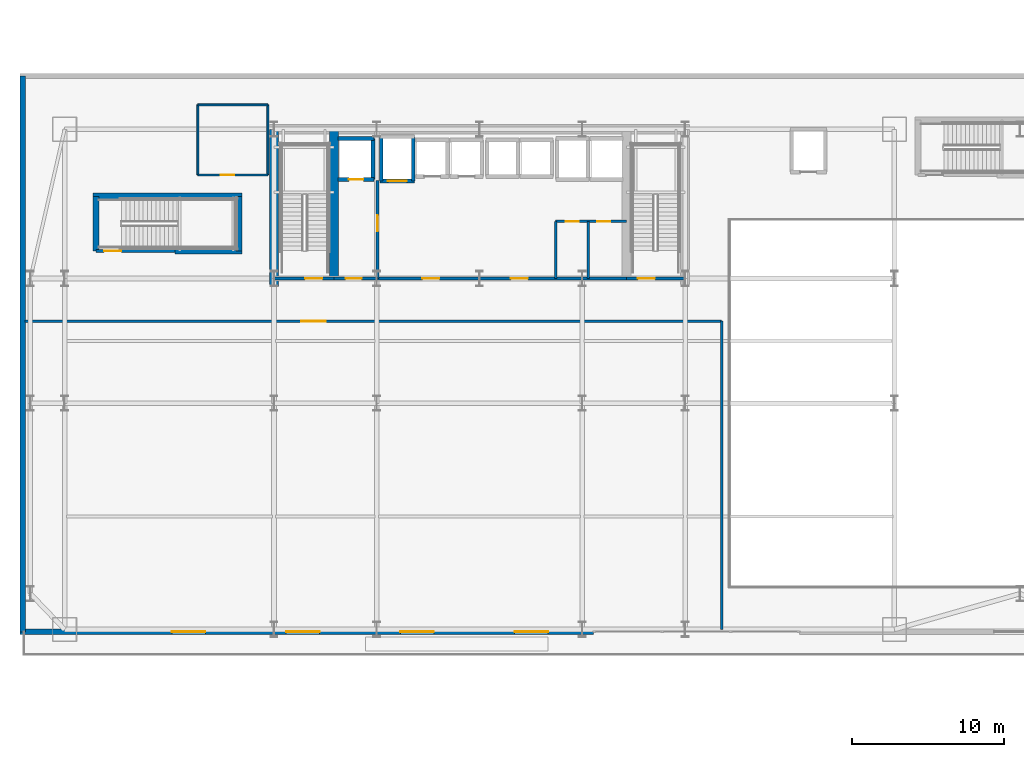
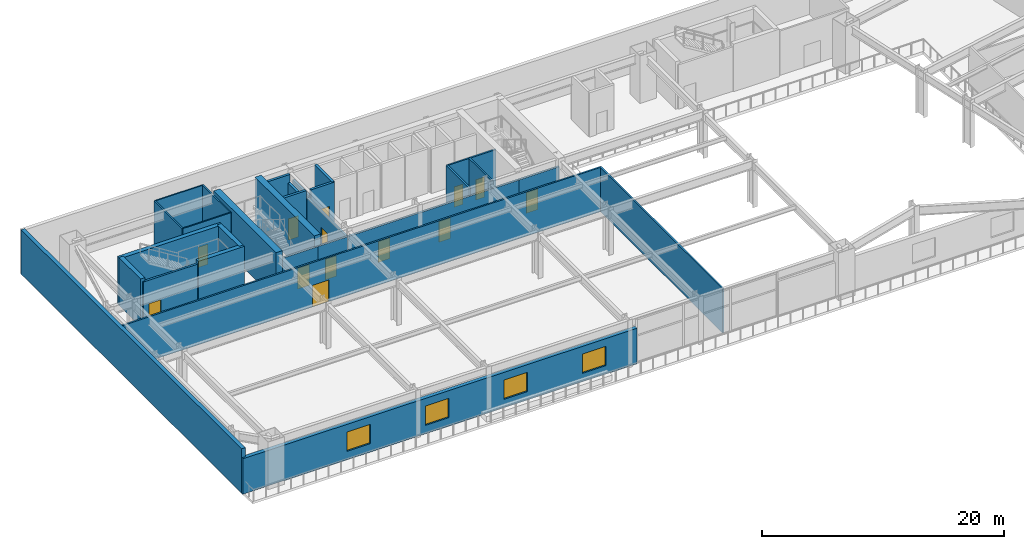
# One storey, part 12 of 28: 29 walls, 13 doors, 4 windows, 17 openings.
"""IFC4 building model written with IfcOpenShell, lengths in metres."""

from ifc_helpers import new_model, si_unit, direction, frame, frame_2d, origin, place, context, subcontext, project, spatial, rectangle, extrude, material, layer, layer_set, type_object, element, fill, save


model = new_model("IFC4")

# Units and contexts
model_context = context("Model", 3, precision=1e-05, world=origin(), true_north=direction((0.0, 1.0)))
body_context = subcontext(model_context, "Body", "Model", "MODEL_VIEW")
ifc_project = project(units=[si_unit("LENGTHUNIT", "METRE"), si_unit("AREAUNIT", "SQUARE_METRE"), si_unit("VOLUMEUNIT", "CUBIC_METRE"), si_unit("PLANEANGLEUNIT", "RADIAN"), si_unit("MASSUNIT", "GRAM", prefix="KILO")], contexts=[model_context])

# Site, building, storey
site_placement = place(None, origin())
site = spatial("IfcSite", under=ifc_project, at=site_placement, CompositionType="ELEMENT")
building_placement = place(site_placement, origin())
building = spatial("IfcBuilding", under=site, at=building_placement, Name="Haevon Station Towers", CompositionType="ELEMENT")
storey_placement = place(building_placement, frame((0.0, 0.0, 10.800048828125)))
storey = spatial("IfcBuildingStorey", under=building, at=storey_placement, Name="L02", CompositionType="ELEMENT", Elevation=10.800048828125)

# Wall, opening, door
ifc_material_1 = material(Name="Gypsum board on steel stud", Category="steel")
ifc_layer_1 = layer(ifc_material_1, 0.199951171875)
ifc_layer_set_1 = layer_set([ifc_layer_1], Name="Gypsum board on steel stud")
wall_type_1 = type_object("IfcWallType", Name="WL-COR200", PredefinedType="PARTITIONING", material=ifc_layer_set_1)
wall_1_placement = place(storey_placement, frame((24.0, 38.199951171875, 0.0), z_axis=(0.0, 0.0, 1.0), x_axis=(1.0, 0.0, 0.0)))
wall_1 = element("IfcWall", 1, at=wall_1_placement, inside=storey, type_object=wall_type_1, Name="WL-ST-ST1-L02", PredefinedType="PARTITIONING", context=body_context, shape_type="SweptSolid", body=[
    extrude(rectangle(XDim=3.949951171875, YDim=0.199951171875, at=frame_2d((1.97509765625, 0.0))), origin(), (0.0, 0.0, 1.0), 3.679931640625),
])
opening_1_placement = place(wall_1_placement, frame((2.050048828125, 0.0, 0.0)))
opening_1 = element("IfcOpeningElement", 2, at=opening_1_placement, cuts=wall_1, Name="Opening DR-ST-ST1-L02", PredefinedType="OPENING", context=body_context, shape_type="SweptSolid", body=[
    extrude(rectangle(XDim=1.1201171875, YDim=2.10009765625, at=frame_2d((0.56005859375, 1.050048828125))), frame((0.0, 0.10986328125, 0.0), z_axis=(0.0, -1.0, 0.0), x_axis=(1.0, 0.0, 0.0)), (0.0, 0.0, 1.0), 0.219970703125),
])
ifc_material_2 = material(Name="Engineered oak timber", Category="wood")
door_type_1 = type_object("IfcDoorType", Name="DR-ST-1120", OperationType="NOTDEFINED", PredefinedType="DOOR", material=ifc_material_2)
door_1_placement = place(opening_1_placement, origin())
door_1 = element("IfcDoor", 3, at=door_1_placement, inside=storey, type_object=door_type_1, Name="L02 Escape Stair ST1 Fire Door", OperationType="SINGLE_SWING_RIGHT", OverallHeight=2.10009765625, OverallWidth=1.1201171875, PredefinedType="DOOR", context=body_context, shape_type="SweptSolid", body=[
    extrude(rectangle(XDim=1.1201171875, YDim=2.10009765625, at=frame_2d((0.56005859375, 1.050048828125))), frame((0.0, 0.02490234375, 0.0), z_axis=(0.0, -1.0, 0.0), x_axis=(1.0, 0.0, 0.0)), (0.0, 0.0, 1.0), 0.050048828125),
])
fill(opening_1, door_1)

wall_2_placement = place(storey_placement, frame((47.14990234375, 38.199951171875, 0.0), z_axis=(0.0, 0.0, 1.0), x_axis=(1.0, 0.0, 0.0)))
wall_2 = element("IfcWall", 4, at=wall_2_placement, inside=storey, type_object=wall_type_1, Name="WL-ST-ST2-L02", PredefinedType="PARTITIONING", context=body_context, shape_type="SweptSolid", body=[
    extrude(rectangle(XDim=3.85009765625, YDim=0.199951171875, at=frame_2d((1.925048828125, 0.0))), origin(), (0.0, 0.0, 1.0), 3.679931640625),
])
opening_2_placement = place(wall_2_placement, frame((0.75, 0.0, 0.0)))
opening_2 = element("IfcOpeningElement", 5, at=opening_2_placement, cuts=wall_2, Name="Opening DR-ST-ST2-L02", PredefinedType="OPENING", context=body_context, shape_type="SweptSolid", body=[
    extrude(rectangle(XDim=1.1201171875, YDim=2.10009765625, at=frame_2d((0.56005859375, 1.050048828125))), frame((0.0, 0.10986328125, 0.0), z_axis=(0.0, -1.0, 0.0), x_axis=(1.0, 0.0, 0.0)), (0.0, 0.0, 1.0), 0.219970703125),
])
door_2_placement = place(opening_2_placement, origin())
door_2 = element("IfcDoor", 6, at=door_2_placement, inside=storey, type_object=door_type_1, Name="L02 Escape Stair ST2 Fire Door", OperationType="SINGLE_SWING_LEFT", OverallHeight=2.10009765625, OverallWidth=1.1201171875, PredefinedType="DOOR", context=body_context, shape_type="SweptSolid", body=[
    extrude(rectangle(XDim=1.1201171875, YDim=2.10009765625, at=frame_2d((0.56005859375, 1.050048828125))), frame((0.0, 0.02490234375, 0.0), z_axis=(0.0, -1.0, 0.0), x_axis=(1.0, 0.0, 0.0)), (0.0, 0.0, 1.0), 0.050048828125),
])
fill(opening_2, door_2)

wall_3_placement = place(storey_placement, frame((30.800048828125, 38.199951171875, 0.0), z_axis=(0.0, 0.0, 1.0), x_axis=(0.0, 1.0, 0.0)))
wall_3 = element("IfcWall", 7, at=wall_3_placement, inside=storey, type_object=wall_type_1, Name="WL-T1FFL-L02-E", PredefinedType="PARTITIONING", context=body_context, shape_type="SweptSolid", body=[
    extrude(rectangle(XDim=6.449951171875, YDim=0.199951171875, at=frame_2d((3.22509765625, 0.0))), origin(), (0.0, 0.0, 1.0), 3.679931640625),
])
opening_3_placement = place(wall_3_placement, frame((3.10009765625, 0.0, 0.0)))
opening_3 = element("IfcOpeningElement", 8, at=opening_3_placement, cuts=wall_3, Name="Opening DR-T1FFL-L02-E", PredefinedType="OPENING", context=body_context, shape_type="SweptSolid", body=[
    extrude(rectangle(XDim=1.050048828125, YDim=2.10009765625, at=frame_2d((0.52490234375, 1.050048828125))), frame((0.0, 0.10986328125, 0.0), z_axis=(0.0, -1.0, 0.0), x_axis=(1.0, 0.0, 0.0)), (0.0, 0.0, 1.0), 0.219970703125),
])
door_type_2 = type_object("IfcDoorType", Name="DR-FD60-1050", OperationType="NOTDEFINED", PredefinedType="DOOR", material=ifc_material_2)
door_3_placement = place(opening_3_placement, origin())
door_3 = element("IfcDoor", 9, at=door_3_placement, inside=storey, type_object=door_type_2, Name="L02 Tower 1 Firefighting Lift Lobby Door E", OperationType="SINGLE_SWING_RIGHT", OverallHeight=2.10009765625, OverallWidth=1.050048828125, PredefinedType="DOOR", context=body_context, shape_type="SweptSolid", body=[
    extrude(rectangle(XDim=1.050048828125, YDim=2.10009765625, at=frame_2d((0.52490234375, 1.050048828125))), frame((0.0, 0.02490234375, 0.0), z_axis=(0.0, -1.0, 0.0), x_axis=(1.0, 0.0, 0.0)), (0.0, 0.0, 1.0), 0.050048828125),
])
fill(opening_3, door_3)

wall_4_placement = place(storey_placement, frame((27.949951171875, 38.199951171875, 0.0), z_axis=(0.0, 0.0, 1.0), x_axis=(1.0, 0.0, 0.0)))
wall_4 = element("IfcWall", 10, at=wall_4_placement, inside=storey, type_object=wall_type_1, Name="WL-T1FFL-L02-S", PredefinedType="PARTITIONING", context=body_context, shape_type="SweptSolid", body=[
    extrude(rectangle(XDim=2.85009765625, YDim=0.199951171875, at=frame_2d((1.425048828125, 0.0))), origin(), (0.0, 0.0, 1.0), 3.679931640625),
])
opening_4_placement = place(wall_4_placement, frame((0.75, 0.0, 0.0)))
opening_4 = element("IfcOpeningElement", 11, at=opening_4_placement, cuts=wall_4, Name="Opening DR-T1FFL-L02-S", PredefinedType="OPENING", context=body_context, shape_type="SweptSolid", body=[
    extrude(rectangle(XDim=1.050048828125, YDim=2.10009765625, at=frame_2d((0.52490234375, 1.050048828125))), frame((0.0, 0.10986328125, 0.0), z_axis=(0.0, -1.0, 0.0), x_axis=(1.0, 0.0, 0.0)), (0.0, 0.0, 1.0), 0.219970703125),
])
door_4_placement = place(opening_4_placement, origin())
door_4 = element("IfcDoor", 12, at=door_4_placement, inside=storey, type_object=door_type_2, Name="L02 Tower 1 Firefighting Lift Lobby Door S", OperationType="SINGLE_SWING_LEFT", OverallHeight=2.10009765625, OverallWidth=1.050048828125, PredefinedType="DOOR", context=body_context, shape_type="SweptSolid", body=[
    extrude(rectangle(XDim=1.050048828125, YDim=2.10009765625, at=frame_2d((0.52490234375, 1.050048828125))), frame((0.0, 0.02490234375, 0.0), z_axis=(0.0, -1.0, 0.0), x_axis=(1.0, 0.0, 0.0)), (0.0, 0.0, 1.0), 0.050048828125),
])
fill(opening_4, door_4)

# Wall, openings, doors
wall_5_placement = place(storey_placement, frame((30.800048828125, 38.199951171875, 0.0), z_axis=(0.0, 0.0, 1.0), x_axis=(1.0, 0.0, 0.0)))
wall_5 = element("IfcWall", 13, at=wall_5_placement, inside=storey, type_object=wall_type_1, Name="WL-T1CLB-L02", PredefinedType="PARTITIONING", context=body_context, shape_type="SweptSolid", body=[
    extrude(rectangle(XDim=16.349853515625, YDim=0.199951171875, at=frame_2d((8.1748046875, 0.0))), origin(), (0.0, 0.0, 1.0), 3.679931640625),
])
opening_5_placement = place(wall_5_placement, frame((2.949951171875, 0.0, 0.0)))
opening_5 = element("IfcOpeningElement", 14, at=opening_5_placement, cuts=wall_5, Name="Opening DR-T1CLB-L02-1", PredefinedType="OPENING", context=body_context, shape_type="SweptSolid", body=[
    extrude(rectangle(XDim=1.1201171875, YDim=2.10009765625, at=frame_2d((0.56005859375, 1.050048828125))), frame((0.0, 0.10986328125, 0.0), z_axis=(0.0, -1.0, 0.0), x_axis=(1.0, 0.0, 0.0)), (0.0, 0.0, 1.0), 0.219970703125),
])
opening_6_placement = place(wall_5_placement, frame((8.75, 0.0, 0.0)))
opening_6 = element("IfcOpeningElement", 15, at=opening_6_placement, cuts=wall_5, Name="Opening DR-T1CLB-L02-2", PredefinedType="OPENING", context=body_context, shape_type="SweptSolid", body=[
    extrude(rectangle(XDim=1.1201171875, YDim=2.10009765625, at=frame_2d((0.56005859375, 1.050048828125))), frame((0.0, 0.10986328125, 0.0), z_axis=(0.0, -1.0, 0.0), x_axis=(1.0, 0.0, 0.0)), (0.0, 0.0, 1.0), 0.219970703125),
])
door_5_placement = place(opening_5_placement, origin())
door_5 = element("IfcDoor", 16, at=door_5_placement, inside=storey, type_object=door_type_1, Name="L02 Tower 1 Core Lift Lobby Door 1", OperationType="SINGLE_SWING_RIGHT", OverallHeight=2.10009765625, OverallWidth=1.1201171875, PredefinedType="DOOR", context=body_context, shape_type="SweptSolid", body=[
    extrude(rectangle(XDim=1.1201171875, YDim=2.10009765625, at=frame_2d((0.56005859375, 1.050048828125))), frame((0.0, 0.02490234375, 0.0), z_axis=(0.0, -1.0, 0.0), x_axis=(1.0, 0.0, 0.0)), (0.0, 0.0, 1.0), 0.050048828125),
])
fill(opening_5, door_5)
door_6_placement = place(opening_6_placement, origin())
door_6 = element("IfcDoor", 17, at=door_6_placement, inside=storey, type_object=door_type_1, Name="L02 Tower 1 Core Lift Lobby Door 2", OperationType="SINGLE_SWING_LEFT", OverallHeight=2.10009765625, OverallWidth=1.1201171875, PredefinedType="DOOR", context=body_context, shape_type="SweptSolid", body=[
    extrude(rectangle(XDim=1.1201171875, YDim=2.10009765625, at=frame_2d((0.56005859375, 1.050048828125))), frame((0.0, 0.02490234375, 0.0), z_axis=(0.0, -1.0, 0.0), x_axis=(1.0, 0.0, 0.0)), (0.0, 0.0, 1.0), 0.050048828125),
])
fill(opening_6, door_6)

# Wall, opening, door
wall_6_placement = place(storey_placement, frame((12.300048828125, 40.0, 0.0), z_axis=(0.0, 0.0, 1.0), x_axis=(1.0, 0.0, 0.0)))
wall_6 = element("IfcWall", 18, at=wall_6_placement, inside=storey, type_object=wall_type_1, Name="WL-ST-ST5-L02-S", PredefinedType="PARTITIONING", context=body_context, shape_type="SweptSolid", body=[
    extrude(rectangle(XDim=5.199951171875, YDim=0.199951171875, at=frame_2d((2.60009765625, 0.0))), origin(), (0.0, 0.0, 1.0), 4.47998046875),
])
opening_7_placement = place(wall_6_placement, frame((0.550048828125, 0.0, 0.0)))
opening_7 = element("IfcOpeningElement", 19, at=opening_7_placement, cuts=wall_6, Name="Opening DR-ST-ST5-L02", PredefinedType="OPENING", context=body_context, shape_type="SweptSolid", body=[
    extrude(rectangle(XDim=1.1201171875, YDim=2.10009765625, at=frame_2d((0.56005859375, 1.050048828125))), frame((0.0, 0.10986328125, 0.0), z_axis=(0.0, -1.0, 0.0), x_axis=(1.0, 0.0, 0.0)), (0.0, 0.0, 1.0), 0.219970703125),
])
door_7_placement = place(opening_7_placement, origin())
door_7 = element("IfcDoor", 20, at=door_7_placement, inside=storey, type_object=door_type_1, Name="L02 Station Escape Stair ST5 Fire Door", OperationType="SINGLE_SWING_LEFT", OverallHeight=2.10009765625, OverallWidth=1.1201171875, PredefinedType="DOOR", context=body_context, shape_type="SweptSolid", body=[
    extrude(rectangle(XDim=1.1201171875, YDim=2.10009765625, at=frame_2d((0.56005859375, 1.050048828125))), frame((0.0, 0.02490234375, 0.0), z_axis=(0.0, -1.0, 0.0), x_axis=(1.0, 0.0, 0.0)), (0.0, 0.0, 1.0), 0.050048828125),
])
fill(opening_7, door_7)

# Walls
ifc_material_3 = material(Name="Concrete C60/75", Category="concrete")
ifc_layer_2 = layer(ifc_material_3, 0.39990234375)
ifc_layer_set_2 = layer_set([ifc_layer_2], Name="Concrete C60/75")
wall_type_2 = type_object("IfcWallType", Name="WL-CR400", PredefinedType="SHEAR", material=ifc_layer_set_2)
wall_7_placement = place(storey_placement, frame((12.10009765625, 43.60009765625, 0.0), z_axis=(0.0, 0.0, 1.0), x_axis=(1.0, 0.0, 0.0)))
element("IfcWall", 21, at=wall_7_placement, inside=storey, type_object=wall_type_2, Name="WL-ST5CR-L02-N", PredefinedType="SHEAR", context=body_context, shape_type="SweptSolid", body=[
    extrude(rectangle(XDim=9.7998046875, YDim=0.39990234375, at=frame_2d((4.89990234375, 0.0))), origin(), (0.0, 0.0, 1.0), 4.800048828125),
])
for number, where, z_axis, x_axis, name in (
    (22, (12.300048828125, 40.0, 0.0), (0.0, 0.0, 1.0), (0.0, 1.0, 0.0), "WL-ST5CR-L02-W"),
    (23, (21.699951171875, 40.0, 0.0), (0.0, 0.0, 1.0), (0.0, 1.0, 0.0), "WL-ST5CR-L02-E"),
):
    element("IfcWall", number, at=place(storey_placement, frame(where, z_axis=z_axis, x_axis=x_axis)), inside=storey, type_object=wall_type_2, Name=name, PredefinedType="SHEAR", context=body_context, shape_type="SweptSolid", body=[
        extrude(rectangle(XDim=3.60009765625, YDim=0.39990234375, at=frame_2d((1.800048828125, 0.0))), origin(), (0.0, 0.0, 1.0), 4.800048828125),
    ])
wall_8_placement = place(storey_placement, frame((17.5, 40.0, 0.0), z_axis=(0.0, 0.0, 1.0), x_axis=(1.0, 0.0, 0.0)))
element("IfcWall", 24, at=wall_8_placement, inside=storey, type_object=wall_type_2, Name="WL-ST5CR-L02-S2", PredefinedType="SHEAR", context=body_context, shape_type="SweptSolid", body=[
    extrude(rectangle(XDim=4.39990234375, YDim=0.39990234375, at=frame_2d((2.199951171875, 0.0))), origin(), (0.0, 0.0, 1.0), 4.800048828125),
])
ifc_layer_3 = layer(ifc_material_3, 0.60009765625)
ifc_layer_set_3 = layer_set([ifc_layer_3], Name="Concrete C60/75")
wall_type_3 = type_object("IfcWallType", Name="WL-CR600", PredefinedType="SHEAR", material=ifc_layer_set_3)
wall_9_placement = place(storey_placement, frame((24.0, 37.679931640625, 0.0), z_axis=(0.0, 0.0, 1.0), x_axis=(0.0, 1.0, 0.0)))
element("IfcWall", 25, at=wall_9_placement, inside=storey, type_object=wall_type_3, Name="WL-T1CR-L02-W", PredefinedType="SHEAR", context=body_context, shape_type="SweptSolid", body=[
    extrude(rectangle(XDim=10.320068359375, YDim=0.60009765625, at=frame_2d((5.16015625, 0.0))), origin(), (0.0, 0.0, 1.0), 4.800048828125),
])
wall_10_placement = place(storey_placement, frame((27.949951171875, 38.199951171875, 0.0), z_axis=(0.0, 0.0, 1.0), x_axis=(0.0, 1.0, 0.0)))
element("IfcWall", 26, at=wall_10_placement, inside=storey, type_object=wall_type_3, Name="WL-T1CR-L02-M1", PredefinedType="SHEAR", context=body_context, shape_type="SweptSolid", body=[
    extrude(rectangle(XDim=9.800048828125, YDim=0.60009765625, at=frame_2d((4.89990234375, 0.0))), origin(), (0.0, 0.0, 1.0), 4.800048828125),
])

# Wall, openings, windows
ifc_material_4 = material(Name="Precast concrete C45/55", Category="concrete")
ifc_layer_4 = layer(ifc_material_4, 0.360107421875)
ifc_layer_set_4 = layer_set([ifc_layer_4], Name="Precast concrete C45/55")
wall_type_4 = type_object("IfcWallType", Name="WL-EXT-POD360", PredefinedType="SOLIDWALL", material=ifc_layer_set_4)
wall_11_placement = place(storey_placement, frame((45.0, 15.0, 0.0), z_axis=(0.0, 0.0, 1.0), x_axis=(-1.0, 0.0, 0.0)))
wall_11 = element("IfcWall", 27, at=wall_11_placement, inside=storey, type_object=wall_type_4, Name="WL-POD-L02-S3", PredefinedType="SOLIDWALL", context=body_context, shape_type="SweptSolid", body=[
    extrude(rectangle(XDim=37.679931640625, YDim=0.360107421875, at=frame_2d((18.83984375, 0.0))), origin(), (0.0, 0.0, 1.0), 3.579833984375),
])
opening_8_placement = place(wall_11_placement, frame((3.0, 0.0, 0.85009765625)))
opening_8 = element("IfcOpeningElement", 28, at=opening_8_placement, cuts=wall_11, Name="Opening WN-P220", PredefinedType="OPENING", context=body_context, shape_type="SweptSolid", body=[
    extrude(rectangle(XDim=2.199951171875, YDim=1.949951171875, at=frame_2d((1.10009765625, 0.97509765625))), frame((0.0, 0.18994140625, 0.0), z_axis=(0.0, -1.0, 0.0), x_axis=(1.0, 0.0, 0.0)), (0.0, 0.0, 1.0), 0.380126953125),
])
opening_9_placement = place(wall_11_placement, frame((10.5, 0.0, 0.85009765625)))
opening_9 = element("IfcOpeningElement", 29, at=opening_9_placement, cuts=wall_11, Name="Opening WN-P220", PredefinedType="OPENING", context=body_context, shape_type="SweptSolid", body=[
    extrude(rectangle(XDim=2.199951171875, YDim=1.949951171875, at=frame_2d((1.10009765625, 0.97509765625))), frame((0.0, 0.18994140625, 0.0), z_axis=(0.0, -1.0, 0.0), x_axis=(1.0, 0.0, 0.0)), (0.0, 0.0, 1.0), 0.380126953125),
])
opening_10_placement = place(wall_11_placement, frame((18.0, 0.0, 0.85009765625)))
opening_10 = element("IfcOpeningElement", 30, at=opening_10_placement, cuts=wall_11, Name="Opening WN-P220", PredefinedType="OPENING", context=body_context, shape_type="SweptSolid", body=[
    extrude(rectangle(XDim=2.199951171875, YDim=1.949951171875, at=frame_2d((1.10009765625, 0.97509765625))), frame((0.0, 0.18994140625, 0.0), z_axis=(0.0, -1.0, 0.0), x_axis=(1.0, 0.0, 0.0)), (0.0, 0.0, 1.0), 0.380126953125),
])
opening_11_placement = place(wall_11_placement, frame((25.5, 0.0, 0.85009765625)))
opening_11 = element("IfcOpeningElement", 31, at=opening_11_placement, cuts=wall_11, Name="Opening WN-P220", PredefinedType="OPENING", context=body_context, shape_type="SweptSolid", body=[
    extrude(rectangle(XDim=2.199951171875, YDim=1.949951171875, at=frame_2d((1.10009765625, 0.97509765625))), frame((0.0, 0.18994140625, 0.0), z_axis=(0.0, -1.0, 0.0), x_axis=(1.0, 0.0, 0.0)), (0.0, 0.0, 1.0), 0.380126953125),
])
ifc_material_5 = material(Name="Low-E triple glazing in thermally broken aluminium", Category="aluminium")
window_type = type_object("IfcWindowType", Name="WN-P220", PartitioningType="SINGLE_PANEL", PredefinedType="WINDOW", material=ifc_material_5)
window_1_placement = place(opening_8_placement, origin())
window_1 = element("IfcWindow", 32, at=window_1_placement, inside=storey, type_object=window_type, Name="WN-POD-L02-S3-01", OverallHeight=1.949951171875, OverallWidth=2.199951171875, PartitioningType="SINGLE_PANEL", PredefinedType="WINDOW", context=body_context, shape_type="SweptSolid", body=[
    extrude(rectangle(XDim=2.199951171875, YDim=1.949951171875, at=frame_2d((1.10009765625, 0.97509765625))), frame((0.0, 0.030029296875, 0.0), z_axis=(0.0, -1.0, 0.0), x_axis=(1.0, 0.0, 0.0)), (0.0, 0.0, 1.0), 0.06005859375),
])
fill(opening_8, window_1)
window_2_placement = place(opening_9_placement, origin())
window_2 = element("IfcWindow", 33, at=window_2_placement, inside=storey, type_object=window_type, Name="WN-POD-L02-S3-02", OverallHeight=1.949951171875, OverallWidth=2.199951171875, PartitioningType="SINGLE_PANEL", PredefinedType="WINDOW", context=body_context, shape_type="SweptSolid", body=[
    extrude(rectangle(XDim=2.199951171875, YDim=1.949951171875, at=frame_2d((1.10009765625, 0.97509765625))), frame((0.0, 0.030029296875, 0.0), z_axis=(0.0, -1.0, 0.0), x_axis=(1.0, 0.0, 0.0)), (0.0, 0.0, 1.0), 0.06005859375),
])
fill(opening_9, window_2)
window_3_placement = place(opening_10_placement, origin())
window_3 = element("IfcWindow", 34, at=window_3_placement, inside=storey, type_object=window_type, Name="WN-POD-L02-S3-03", OverallHeight=1.949951171875, OverallWidth=2.199951171875, PartitioningType="SINGLE_PANEL", PredefinedType="WINDOW", context=body_context, shape_type="SweptSolid", body=[
    extrude(rectangle(XDim=2.199951171875, YDim=1.949951171875, at=frame_2d((1.10009765625, 0.97509765625))), frame((0.0, 0.030029296875, 0.0), z_axis=(0.0, -1.0, 0.0), x_axis=(1.0, 0.0, 0.0)), (0.0, 0.0, 1.0), 0.06005859375),
])
fill(opening_10, window_3)
window_4_placement = place(opening_11_placement, origin())
window_4 = element("IfcWindow", 35, at=window_4_placement, inside=storey, type_object=window_type, Name="WN-POD-L02-S3-04", OverallHeight=1.949951171875, OverallWidth=2.199951171875, PartitioningType="SINGLE_PANEL", PredefinedType="WINDOW", context=body_context, shape_type="SweptSolid", body=[
    extrude(rectangle(XDim=2.199951171875, YDim=1.949951171875, at=frame_2d((1.10009765625, 0.97509765625))), frame((0.0, 0.030029296875, 0.0), z_axis=(0.0, -1.0, 0.0), x_axis=(1.0, 0.0, 0.0)), (0.0, 0.0, 1.0), 0.06005859375),
])
fill(opening_11, window_4)

# Wall
wall_12_placement = place(storey_placement, frame((7.5, 15.0, 0.0), z_axis=(0.0, 0.0, 1.0), x_axis=(0.0, 1.0, 0.0)))
element("IfcWall", 36, at=wall_12_placement, inside=storey, type_object=wall_type_4, Name="WL-POD-L02-W", PredefinedType="SOLIDWALL", context=body_context, shape_type="SweptSolid", body=[
    extrude(rectangle(XDim=36.5, YDim=0.360107421875, at=frame_2d((18.25, 0.0))), origin(), (0.0, 0.0, 1.0), 4.47998046875),
])

# Wall, opening, door
ifc_layer_5 = layer(ifc_material_1, 0.125)
ifc_layer_set_5 = layer_set([ifc_layer_5], Name="Gypsum board on steel stud")
wall_type_5 = type_object("IfcWallType", Name="WL-PRT125", PredefinedType="PARTITIONING", material=ifc_layer_set_5)
wall_13_placement = place(storey_placement, frame((19.0, 45.0, 0.0), z_axis=(0.0, 0.0, 1.0), x_axis=(1.0, 0.0, 0.0)))
wall_13 = element("IfcWall", 37, at=wall_13_placement, inside=storey, type_object=wall_type_5, Name="WL-L02-WCS", PredefinedType="PARTITIONING", context=body_context, shape_type="SweptSolid", body=[
    extrude(rectangle(XDim=4.60009765625, YDim=0.125, at=frame_2d((2.300048828125, 0.0))), origin(), (0.0, 0.0, 1.0), 4.47998046875),
])
opening_12_placement = place(wall_13_placement, frame((1.5, 0.0, 0.0)))
opening_12 = element("IfcOpeningElement", 38, at=opening_12_placement, cuts=wall_13, Name="Opening DR-WL-L02-WCS-1", PredefinedType="OPENING", context=body_context, shape_type="SweptSolid", body=[
    extrude(rectangle(XDim=0.89990234375, YDim=2.050048828125, at=frame_2d((0.449951171875, 1.02490234375))), frame((0.0, 0.072509765625, 0.0), z_axis=(0.0, -1.0, 0.0), x_axis=(1.0, 0.0, 0.0)), (0.0, 0.0, 1.0), 0.14501953125),
])
door_type_3 = type_object("IfcDoorType", Name="DR-INT-900", OperationType="NOTDEFINED", PredefinedType="DOOR", material=ifc_material_2)
door_8_placement = place(opening_12_placement, origin())
door_8 = element("IfcDoor", 39, at=door_8_placement, inside=storey, type_object=door_type_3, Name="L02 Interior Door WL-L02-WCS-1", OperationType="SINGLE_SWING_LEFT", OverallHeight=2.050048828125, OverallWidth=0.89990234375, PredefinedType="DOOR", context=body_context, shape_type="SweptSolid", body=[
    extrude(rectangle(XDim=0.89990234375, YDim=2.050048828125, at=frame_2d((0.449951171875, 1.02490234375))), frame((0.0, 0.02490234375, 0.0), z_axis=(0.0, -1.0, 0.0), x_axis=(1.0, 0.0, 0.0)), (0.0, 0.0, 1.0), 0.050048828125),
])
fill(opening_12, door_8)

# Walls
for number, where, z_axis, x_axis, name in (
    (40, (19.0, 49.60009765625, 0.0), (0.0, 0.0, 1.0), (1.0, 0.0, 0.0), "WL-L02-WCN"),
    (41, (19.0, 45.0, 0.0), (0.0, 0.0, 1.0), (0.0, 1.0, 0.0), "WL-L02-WCW"),
    (42, (23.60009765625, 45.0, 0.0), (0.0, 0.0, 1.0), (0.0, 1.0, 0.0), "WL-L02-WCE"),
):
    element("IfcWall", number, at=place(storey_placement, frame(where, z_axis=z_axis, x_axis=x_axis)), inside=storey, type_object=wall_type_5, Name=name, PredefinedType="PARTITIONING", context=body_context, shape_type="SweptSolid", body=[
        extrude(rectangle(XDim=4.60009765625, YDim=0.125, at=frame_2d((2.300048828125, 0.0))), origin(), (0.0, 0.0, 1.0), 4.47998046875),
    ])
ifc_layer_6 = layer(ifc_material_1, 0.159912109375)
ifc_layer_set_6 = layer_set([ifc_layer_6], Name="Gypsum board on steel stud")
wall_type_6 = type_object("IfcWallType", Name="WL-PRT160", PredefinedType="PARTITIONING", material=ifc_layer_set_6)
wall_14_placement = place(storey_placement, frame((53.39990234375, 15.14990234375, 0.0), z_axis=(0.0, 0.0, 1.0), x_axis=(0.0, 1.0, 0.0)))
element("IfcWall", 43, at=wall_14_placement, inside=storey, type_object=wall_type_6, Name="WL-L02-WEST", PredefinedType="PARTITIONING", context=body_context, shape_type="SweptSolid", body=[
    extrude(rectangle(XDim=20.25, YDim=0.159912109375, at=frame_2d((10.125, 0.0))), origin(), (0.0, 0.0, 1.0), 4.47998046875),
])

# Wall, opening, door
wall_15_placement = place(storey_placement, frame((7.64990234375, 35.39990234375, 0.0), z_axis=(0.0, 0.0, 1.0), x_axis=(1.0, 0.0, 0.0)))
wall_15 = element("IfcWall", 44, at=wall_15_placement, inside=storey, type_object=wall_type_6, Name="WL-L02-WESTN", PredefinedType="PARTITIONING", context=body_context, shape_type="SweptSolid", body=[
    extrude(rectangle(XDim=45.75, YDim=0.159912109375, at=frame_2d((22.875, 0.0))), origin(), (0.0, 0.0, 1.0), 4.47998046875),
])
opening_13_placement = place(wall_15_placement, frame((18.14990234375, 0.0, 0.0)))
opening_13 = element("IfcOpeningElement", 45, at=opening_13_placement, cuts=wall_15, Name="Opening DR-WL-L02-WESTN-1", PredefinedType="OPENING", context=body_context, shape_type="SweptSolid", body=[
    extrude(rectangle(XDim=1.60009765625, YDim=2.199951171875, at=frame_2d((0.800048828125, 1.10009765625))), frame((0.0, 0.08984375, 0.0), z_axis=(0.0, -1.0, 0.0), x_axis=(1.0, 0.0, 0.0)), (0.0, 0.0, 1.0), 0.179931640625),
])
door_type_4 = type_object("IfcDoorType", Name="DR-POD-1600", OperationType="NOTDEFINED", PredefinedType="DOOR", material=ifc_material_2)
door_9_placement = place(opening_13_placement, origin())
door_9 = element("IfcDoor", 46, at=door_9_placement, inside=storey, type_object=door_type_4, Name="L02 Interior Door WL-L02-WESTN-1", OperationType="DOUBLE_DOOR_SINGLE_SWING", OverallHeight=2.199951171875, OverallWidth=1.60009765625, PredefinedType="DOOR", context=body_context, shape_type="SweptSolid", body=[
    extrude(rectangle(XDim=1.60009765625, YDim=2.199951171875, at=frame_2d((0.800048828125, 1.10009765625))), frame((0.0, 0.02490234375, 0.0), z_axis=(0.0, -1.0, 0.0), x_axis=(1.0, 0.0, 0.0)), (0.0, 0.0, 1.0), 0.050048828125),
])
fill(opening_13, door_9)

# Walls
for number, where, z_axis, x_axis, name in (
    (47, (42.5, 38.199951171875, 0.0), (0.0, 0.0, 1.0), (0.0, 1.0, 0.0), "WL-T1CW-L02-01"),
    (48, (44.6298828125, 38.199951171875, 0.0), (0.0, 0.0, 1.0), (0.0, 1.0, 0.0), "WL-T1CW-L02-02"),
):
    element("IfcWall", number, at=place(storey_placement, frame(where, z_axis=z_axis, x_axis=x_axis)), inside=storey, type_object=wall_type_6, Name=name, PredefinedType="PARTITIONING", context=body_context, shape_type="SweptSolid", body=[
        extrude(rectangle(XDim=3.75, YDim=0.159912109375, at=frame_2d((1.875, 0.0))), origin(), (0.0, 0.0, 1.0), 4.47998046875),
    ])

# Wall, openings, doors
wall_16_placement = place(storey_placement, frame((42.5, 41.949951171875, 0.0), z_axis=(0.0, 0.0, 1.0), x_axis=(1.0, 0.0, 0.0)))
wall_16 = element("IfcWall", 49, at=wall_16_placement, inside=storey, type_object=wall_type_6, Name="WL-T1CW-L02-03", PredefinedType="PARTITIONING", context=body_context, shape_type="SweptSolid", body=[
    extrude(rectangle(XDim=4.64990234375, YDim=0.159912109375, at=frame_2d((2.324951171875, 0.0))), origin(), (0.0, 0.0, 1.0), 4.47998046875),
])
opening_14_placement = place(wall_16_placement, frame((0.659912109375, 0.0, 0.0)))
opening_14 = element("IfcOpeningElement", 50, at=opening_14_placement, cuts=wall_16, Name="Opening DR-WL-T1CW-L02-03-1", PredefinedType="OPENING", context=body_context, shape_type="SweptSolid", body=[
    extrude(rectangle(XDim=0.85009765625, YDim=2.050048828125, at=frame_2d((0.425048828125, 1.02490234375))), frame((0.0, 0.08984375, 0.0), z_axis=(0.0, -1.0, 0.0), x_axis=(1.0, 0.0, 0.0)), (0.0, 0.0, 1.0), 0.179931640625),
])
opening_15_placement = place(wall_16_placement, frame((2.72998046875, 0.0, 0.0)))
opening_15 = element("IfcOpeningElement", 51, at=opening_15_placement, cuts=wall_16, Name="Opening DR-WL-T1CW-L02-03-2", PredefinedType="OPENING", context=body_context, shape_type="SweptSolid", body=[
    extrude(rectangle(XDim=0.85009765625, YDim=2.050048828125, at=frame_2d((0.425048828125, 1.02490234375))), frame((0.0, 0.08984375, 0.0), z_axis=(0.0, -1.0, 0.0), x_axis=(1.0, 0.0, 0.0)), (0.0, 0.0, 1.0), 0.179931640625),
])
door_type_5 = type_object("IfcDoorType", Name="DR-FD30-850", OperationType="NOTDEFINED", PredefinedType="DOOR", material=ifc_material_2)
door_10_placement = place(opening_14_placement, origin())
door_10 = element("IfcDoor", 52, at=door_10_placement, inside=storey, type_object=door_type_5, Name="L02 Tower 1 Core Room Door 3-1", OperationType="SINGLE_SWING_RIGHT", OverallHeight=2.050048828125, OverallWidth=0.85009765625, PredefinedType="DOOR", context=body_context, shape_type="SweptSolid", body=[
    extrude(rectangle(XDim=0.85009765625, YDim=2.050048828125, at=frame_2d((0.425048828125, 1.02490234375))), frame((0.0, 0.02490234375, 0.0), z_axis=(0.0, -1.0, 0.0), x_axis=(1.0, 0.0, 0.0)), (0.0, 0.0, 1.0), 0.050048828125),
])
fill(opening_14, door_10)
door_11_placement = place(opening_15_placement, origin())
door_11 = element("IfcDoor", 53, at=door_11_placement, inside=storey, type_object=door_type_5, Name="L02 Tower 1 Core Room Door 3-2", OperationType="SINGLE_SWING_LEFT", OverallHeight=2.050048828125, OverallWidth=0.85009765625, PredefinedType="DOOR", context=body_context, shape_type="SweptSolid", body=[
    extrude(rectangle(XDim=0.85009765625, YDim=2.050048828125, at=frame_2d((0.425048828125, 1.02490234375))), frame((0.0, 0.02490234375, 0.0), z_axis=(0.0, -1.0, 0.0), x_axis=(1.0, 0.0, 0.0)), (0.0, 0.0, 1.0), 0.050048828125),
])
fill(opening_15, door_11)

# Wall, opening, door
ifc_material_6 = material(Name="Concrete C40/50", Category="concrete")
ifc_layer_7 = layer(ifc_material_6, 0.239990234375)
ifc_layer_set_7 = layer_set([ifc_layer_7], Name="Concrete C40/50")
wall_type_7 = type_object("IfcWallType", Name="WL-SHF240", PredefinedType="PARTITIONING", material=ifc_layer_set_7)
wall_17_placement = place(storey_placement, frame((28.219970703125, 44.699951171875, 0.0), z_axis=(0.0, 0.0, 1.0), x_axis=(1.0, 0.0, 0.0)))
wall_17 = element("IfcWall", 54, at=wall_17_placement, inside=storey, type_object=wall_type_7, Name="WL-SHF-FL1-L02", PredefinedType="PARTITIONING", context=body_context, shape_type="SweptSolid", body=[
    extrude(rectangle(XDim=2.360107421875, YDim=0.239990234375, at=frame_2d((1.18017578125, 0.0))), origin(), (0.0, 0.0, 1.0), 4.47998046875),
])
opening_16_placement = place(wall_17_placement, frame((0.705078125, 0.0, 0.0)))
opening_16 = element("IfcOpeningElement", 55, at=opening_16_placement, cuts=wall_17, Name="Opening LD-FL1-L02", PredefinedType="OPENING", context=body_context, shape_type="SweptSolid", body=[
    extrude(rectangle(XDim=0.949951171875, YDim=2.14990234375, at=frame_2d((0.47509765625, 1.074951171875))), frame((0.0, 0.1298828125, 0.0), z_axis=(0.0, -1.0, 0.0), x_axis=(1.0, 0.0, 0.0)), (0.0, 0.0, 1.0), 0.260009765625),
])
ifc_material_7 = material(Name="Stainless steel and rated core", Category="steel")
door_type_6 = type_object("IfcDoorType", Name="LD-FL950", OperationType="SLIDING_TO_LEFT", PredefinedType="DOOR", material=ifc_material_7)
door_12_placement = place(opening_16_placement, origin())
door_12 = element("IfcDoor", 56, at=door_12_placement, inside=storey, type_object=door_type_6, Name="L02 Lift FL1 Sliding Landing Door", OperationType="SLIDING_TO_LEFT", OverallHeight=2.14990234375, OverallWidth=0.949951171875, PredefinedType="DOOR", context=body_context, shape_type="SweptSolid", body=[
    extrude(rectangle(XDim=0.949951171875, YDim=2.14990234375, at=frame_2d((0.47509765625, 1.074951171875))), frame((0.0, 0.02490234375, 0.0), z_axis=(0.0, -1.0, 0.0), x_axis=(1.0, 0.0, 0.0)), (0.0, 0.0, 1.0), 0.050048828125),
])
fill(opening_16, door_12)

# Walls
wall_18_placement = place(storey_placement, frame((28.219970703125, 47.39990234375, 0.0), z_axis=(0.0, 0.0, 1.0), x_axis=(1.0, 0.0, 0.0)))
element("IfcWall", 57, at=wall_18_placement, inside=storey, type_object=wall_type_7, Name="WL-SHF-FL1-L02-N", PredefinedType="PARTITIONING", context=body_context, shape_type="SweptSolid", body=[
    extrude(rectangle(XDim=2.360107421875, YDim=0.239990234375, at=frame_2d((1.18017578125, 0.0))), origin(), (0.0, 0.0, 1.0), 4.47998046875),
])
wall_19_placement = place(storey_placement, frame((30.5, 44.699951171875, 0.0), z_axis=(0.0, 0.0, 1.0), x_axis=(0.0, 1.0, 0.0)))
element("IfcWall", 58, at=wall_19_placement, inside=storey, type_object=wall_type_7, Name="WL-SHF-FL1-L02-E", PredefinedType="PARTITIONING", context=body_context, shape_type="SweptSolid", body=[
    extrude(rectangle(XDim=2.699951171875, YDim=0.239990234375, at=frame_2d((1.35009765625, 0.0))), origin(), (0.0, 0.0, 1.0), 3.679931640625),
])

# Wall, opening, door
wall_20_placement = place(storey_placement, frame((30.969970703125, 44.60009765625, 0.0), z_axis=(0.0, 0.0, 1.0), x_axis=(1.0, 0.0, 0.0)))
wall_20 = element("IfcWall", 59, at=wall_20_placement, inside=storey, type_object=wall_type_7, Name="WL-SHF-SL1-L02", PredefinedType="PARTITIONING", context=body_context, shape_type="SweptSolid", body=[
    extrude(rectangle(XDim=2.260009765625, YDim=0.239990234375, at=frame_2d((1.1298828125, 0.0))), origin(), (0.0, 0.0, 1.0), 4.47998046875),
])
opening_17_placement = place(wall_20_placement, frame((0.5048828125, 0.0, 0.0)))
opening_17 = element("IfcOpeningElement", 60, at=opening_17_placement, cuts=wall_20, Name="Opening LD-SL1-L02", PredefinedType="OPENING", context=body_context, shape_type="SweptSolid", body=[
    extrude(rectangle(XDim=1.25, YDim=2.199951171875, at=frame_2d((0.625, 1.10009765625))), frame((0.0, 0.1298828125, 0.0), z_axis=(0.0, -1.0, 0.0), x_axis=(1.0, 0.0, 0.0)), (0.0, 0.0, 1.0), 0.260009765625),
])
door_type_7 = type_object("IfcDoorType", Name="LD-SL1250", OperationType="SLIDING_TO_LEFT", PredefinedType="DOOR", material=ifc_material_7)
door_13_placement = place(opening_17_placement, origin())
door_13 = element("IfcDoor", 61, at=door_13_placement, inside=storey, type_object=door_type_7, Name="L02 Lift SL1 Sliding Landing Door", OperationType="SLIDING_TO_LEFT", OverallHeight=2.199951171875, OverallWidth=1.25, PredefinedType="DOOR", context=body_context, shape_type="SweptSolid", body=[
    extrude(rectangle(XDim=1.25, YDim=2.199951171875, at=frame_2d((0.625, 1.10009765625))), frame((0.0, 0.02490234375, 0.0), z_axis=(0.0, -1.0, 0.0), x_axis=(1.0, 0.0, 0.0)), (0.0, 0.0, 1.0), 0.050048828125),
])
fill(opening_17, door_13)

# Walls
wall_21_placement = place(storey_placement, frame((31.050048828125, 44.60009765625, 0.0), z_axis=(0.0, 0.0, 1.0), x_axis=(0.0, 1.0, 0.0)))
element("IfcWall", 62, at=wall_21_placement, inside=storey, type_object=wall_type_7, Name="WL-SHF-SL1-L02-W", PredefinedType="PARTITIONING", context=body_context, shape_type="SweptSolid", body=[
    extrude(rectangle(XDim=2.89990234375, YDim=0.239990234375, at=frame_2d((1.449951171875, 0.0))), origin(), (0.0, 0.0, 1.0), 3.679931640625),
])
wall_22_placement = place(storey_placement, frame((33.14990234375, 44.60009765625, 0.0), z_axis=(0.0, 0.0, 1.0), x_axis=(0.0, 1.0, 0.0)))
element("IfcWall", 63, at=wall_22_placement, inside=storey, type_object=wall_type_7, Name="WL-SHF-SL1-L02-E", PredefinedType="PARTITIONING", context=body_context, shape_type="SweptSolid", body=[
    extrude(rectangle(XDim=2.89990234375, YDim=0.239990234375, at=frame_2d((1.449951171875, 0.0))), origin(), (0.0, 0.0, 1.0), 4.47998046875),
])

save(model, "model.ifc")
